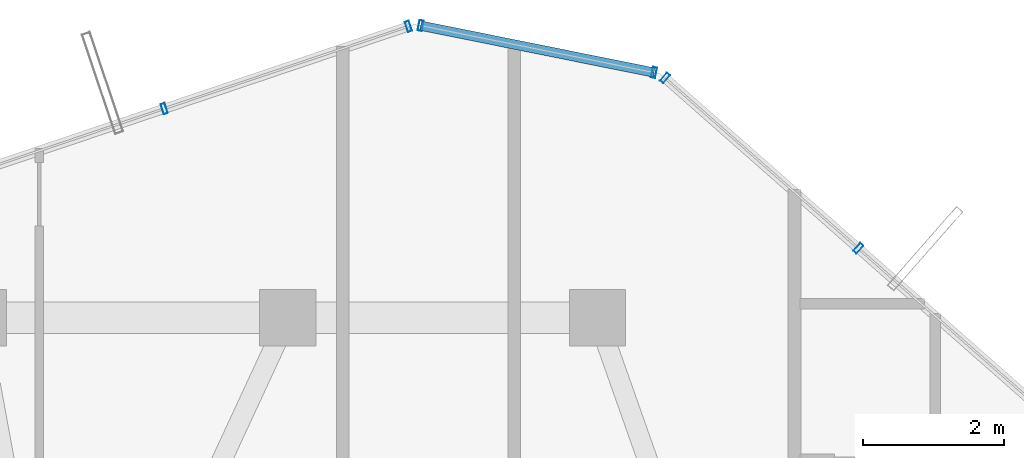
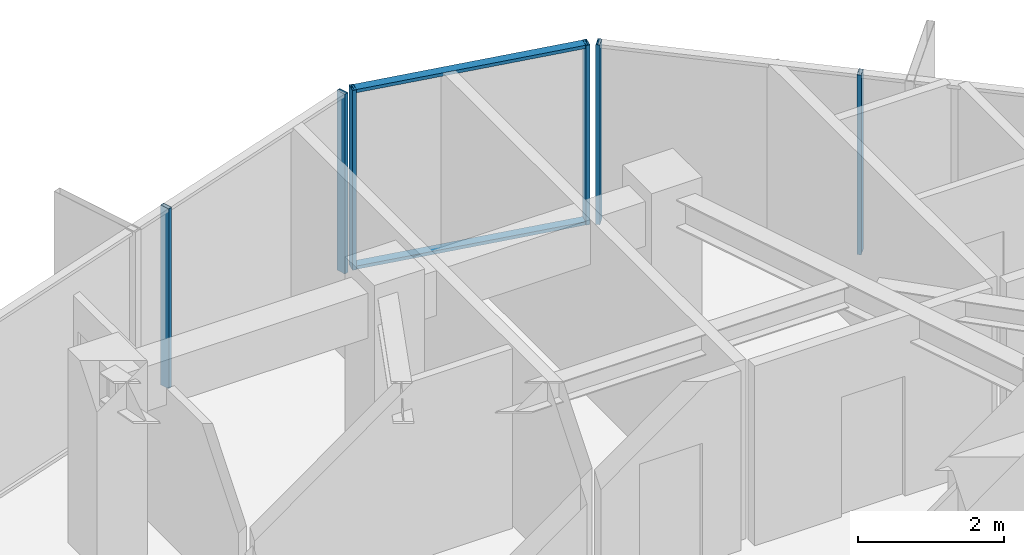
# One storey, part 22 of 28: 8 members, 3 elements without a shape of their own.
"""IFC4 building model written with IfcOpenShell, lengths in metres."""

from ifc_helpers import new_model, si_unit, direction, frame, origin, origin_2d, place, context, subcontext, project, spatial, hollow_rectangle, extrude, source, transform, mapped, material, layer, layer_set, material_profile, profile_set, type_object, element, aggregate, save


model = new_model("IFC4")

# Units and contexts
model_context = context("Model", 3, precision=1e-05, world=origin(), true_north=direction((0.0, 1.0)))
body_context = subcontext(model_context, "Body", "Model", "MODEL_VIEW")
ifc_project = project(units=[si_unit("LENGTHUNIT", "METRE"), si_unit("AREAUNIT", "SQUARE_METRE"), si_unit("VOLUMEUNIT", "CUBIC_METRE"), si_unit("PLANEANGLEUNIT", "RADIAN"), si_unit("MASSUNIT", "GRAM", prefix="KILO")], contexts=[model_context])

# Site, building, storey
site_placement = place(None, origin())
site = spatial("IfcSite", under=ifc_project, at=site_placement, CompositionType="ELEMENT")
building_placement = place(site_placement, origin())
building = spatial("IfcBuilding", under=site, at=building_placement, Name="Veraguas Prism Commons", CompositionType="ELEMENT")
storey_placement = place(building_placement, frame((0.0, 0.0, 248.0)))
storey = spatial("IfcBuildingStorey", under=building, at=storey_placement, Name="L70", CompositionType="ELEMENT", Elevation=248.0)

# Curtain wall, members
ifc_material = material(Name="Anodised aluminium EN AW-6063 T6", Category="aluminium")
ifc_layer = layer(ifc_material, 0.14990234375, Name="Unitised Flush Curtain Wall Zone 4", Category="aluminium")
ifc_layer_set = layer_set([ifc_layer], Name="Anodised aluminium EN AW-6063 T6")
curtain_wall_type = type_object("IfcCurtainWallType", Name="Unitised Flush Curtain Wall Zone 4", PredefinedType="NOTDEFINED", material=ifc_layer_set)
curtain_wall_1_placement = place(storey_placement, origin())
curtain_wall_1 = element("IfcCurtainWall", 1, at=curtain_wall_1_placement, inside=storey, type_object=curtain_wall_type, Name="Tower Facade Curtain Wall L70-F1", PredefinedType="NOTDEFINED")
ifc_material_profile_1 = material_profile(ifc_material, hollow_rectangle(XDim=0.06005859375, YDim=0.14990234375, WallThickness=0.0029296875, at=origin_2d()), Name="AL60X150X3")
ifc_profile_set_1 = profile_set([ifc_material_profile_1], Name="Anodised aluminium EN AW-6063 T6")
member_type_1 = type_object("IfcMemberType", Name="Curtain Wall Mullion Upper AL 60x150x3", PredefinedType="MULLION", material=ifc_profile_set_1)
shared_shape_1 = source(origin(), body_context, "Body", "SweptSolid", [
    extrude(hollow_rectangle(XDim=0.06005859375, YDim=0.14990234375, WallThickness=0.0029296875, at=origin_2d()), origin(), (0.0, 0.0, 1.0), 3.014892578125),
])
member_1_placement = place(storey_placement, frame((32.107177734375, 38.786865234375, 0.0), z_axis=(0.0, 0.0, 1.0), x_axis=(-0.750347634036, 0.661043438888, 0.0)))
member_1 = element("IfcMember", 2, at=member_1_placement, type_object=member_type_1, Name="CW-Z4 Mullion 4", PredefinedType="MULLION", context=body_context, shape_type="MappedRepresentation", body=[
    mapped(shared_shape_1, transform((0.0, 0.0, 0.0), scale=1.0)),
])
member_2_placement = place(storey_placement, frame((29.35986328125, 41.207275390625, 0.0), z_axis=(0.0, 0.0, 1.0), x_axis=(-0.750347634036, 0.661043438888, 0.0)))
member_2 = element("IfcMember", 3, at=member_2_placement, type_object=member_type_1, Name="CW-Z4 Mullion 5", PredefinedType="MULLION", context=body_context, shape_type="MappedRepresentation", body=[
    mapped(shared_shape_1, transform((0.0, 0.0, 0.0), scale=1.0)),
])
aggregate(curtain_wall_1, [member_1, member_2])

curtain_wall_2_placement = place(storey_placement, origin())
curtain_wall_2 = element("IfcCurtainWall", 4, at=curtain_wall_2_placement, inside=storey, type_object=curtain_wall_type, Name="Tower Facade Curtain Wall L70-F2", PredefinedType="NOTDEFINED")
member_3_placement = place(storey_placement, frame((25.71435546875, 41.94091796875, 0.0), z_axis=(0.0, 0.0, 1.0), x_axis=(-0.94765924351, -0.319283507543, 0.0)))
member_3 = element("IfcMember", 5, at=member_3_placement, type_object=member_type_1, Name="CW-Z4 Mullion 1", PredefinedType="MULLION", context=body_context, shape_type="MappedRepresentation", body=[
    mapped(shared_shape_1, transform((0.0, 0.0, 0.0), scale=1.0)),
])
member_4_placement = place(storey_placement, frame((22.24462890625, 40.771728515625, 0.0), z_axis=(0.0, 0.0, 1.0), x_axis=(-0.94765924351, -0.319283507543, 0.0)))
member_4 = element("IfcMember", 6, at=member_4_placement, type_object=member_type_1, Name="CW-Z4 Mullion 2", PredefinedType="MULLION", context=body_context, shape_type="MappedRepresentation", body=[
    mapped(shared_shape_1, transform((0.0, 0.0, 0.0), scale=1.0)),
])
aggregate(curtain_wall_2, [member_3, member_4])

curtain_wall_3_placement = place(storey_placement, origin())
curtain_wall_3 = element("IfcCurtainWall", 7, at=curtain_wall_3_placement, inside=storey, type_object=curtain_wall_type, Name="Chamfer Curtain Wall L70-C2", PredefinedType="NOTDEFINED")
member_5_placement = place(storey_placement, frame((29.2041015625, 41.284423828125, 0.0), z_axis=(0.0, 0.0, 1.0), x_axis=(-0.980338732783, 0.197321993213, 0.0)))
member_5 = element("IfcMember", 8, at=member_5_placement, type_object=member_type_1, Name="CW-Z4 Mullion 1", PredefinedType="MULLION", context=body_context, shape_type="MappedRepresentation", body=[
    mapped(shared_shape_1, transform((0.0, 0.0, 0.0), scale=1.0)),
])
member_6_placement = place(storey_placement, frame((25.887939453125, 41.951904296875, 0.0), z_axis=(0.0, 0.0, 1.0), x_axis=(-0.980338732783, 0.197321993213, 0.0)))
member_6 = element("IfcMember", 9, at=member_6_placement, type_object=member_type_1, Name="CW-Z4 Mullion 2", PredefinedType="MULLION", context=body_context, shape_type="MappedRepresentation", body=[
    mapped(shared_shape_1, transform((0.0, 0.0, 0.0), scale=1.0)),
])
ifc_material_profile_2 = material_profile(ifc_material, hollow_rectangle(XDim=0.054931640625, YDim=0.135009765625, WallThickness=0.0029296875, at=origin_2d()), Name="AL55X135X3")
ifc_profile_set_2 = profile_set([ifc_material_profile_2], Name="Anodised aluminium EN AW-6063 T6")
member_type_2 = type_object("IfcMemberType", Name="Curtain Wall Transom Standard AL 55x135x3", PredefinedType="USERDEFINED", material=ifc_profile_set_2)
shared_shape_2 = source(origin(), body_context, "Body", "SweptSolid", [
    extrude(hollow_rectangle(XDim=0.054931640625, YDim=0.135009765625, WallThickness=0.0029296875, at=origin_2d()), origin(), (0.0, 0.0, 1.0), 3.382568359375),
])
member_7_placement = place(storey_placement, frame((29.2041015625, 41.284423828125, 0.027587890625), z_axis=(-0.980338427136, 0.197323511727, 0.0), x_axis=(0.0, 0.0, 1.0)))
member_7 = element("IfcMember", 10, at=member_7_placement, type_object=member_type_2, Name="CW-Z4 Transom 1", ObjectType="TRANSOM", PredefinedType="USERDEFINED", context=body_context, shape_type="MappedRepresentation", body=[
    mapped(shared_shape_2, transform((0.0, 0.0, 0.0), scale=1.0)),
])
member_8_placement = place(storey_placement, frame((29.2041015625, 41.284423828125, 2.987548828125), z_axis=(-0.980338427136, 0.197323511727, 0.0), x_axis=(0.0, 0.0, 1.0)))
member_8 = element("IfcMember", 11, at=member_8_placement, type_object=member_type_2, Name="CW-Z4 Transom 2", ObjectType="TRANSOM", PredefinedType="USERDEFINED", context=body_context, shape_type="MappedRepresentation", body=[
    mapped(shared_shape_2, transform((0.0, 0.0, 0.0), scale=1.0)),
])
aggregate(curtain_wall_3, [member_5, member_6, member_7, member_8])

save(model, "model.ifc")
